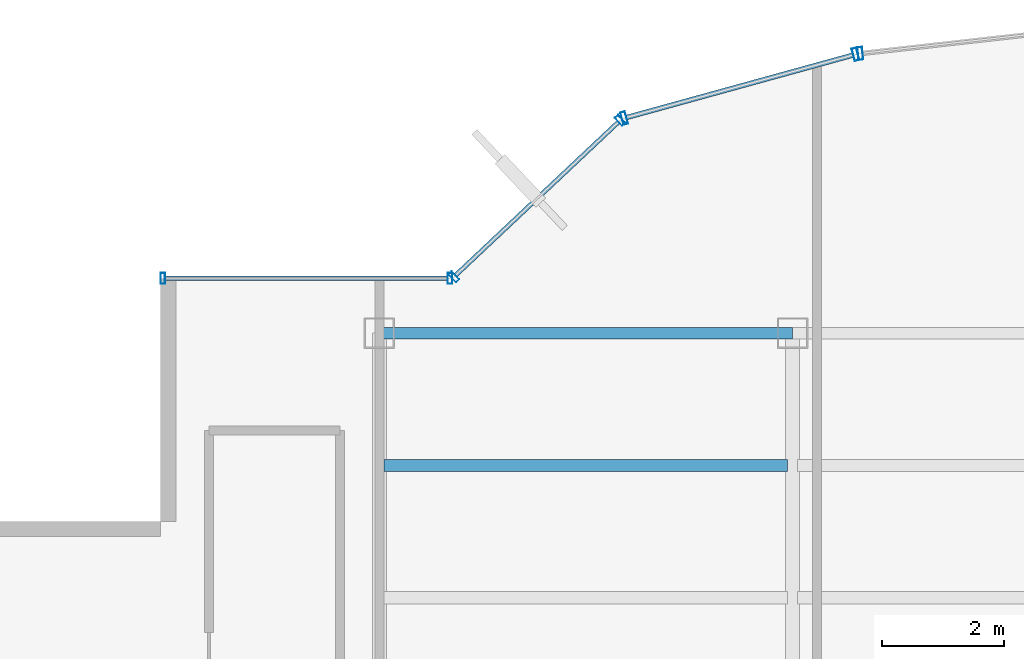
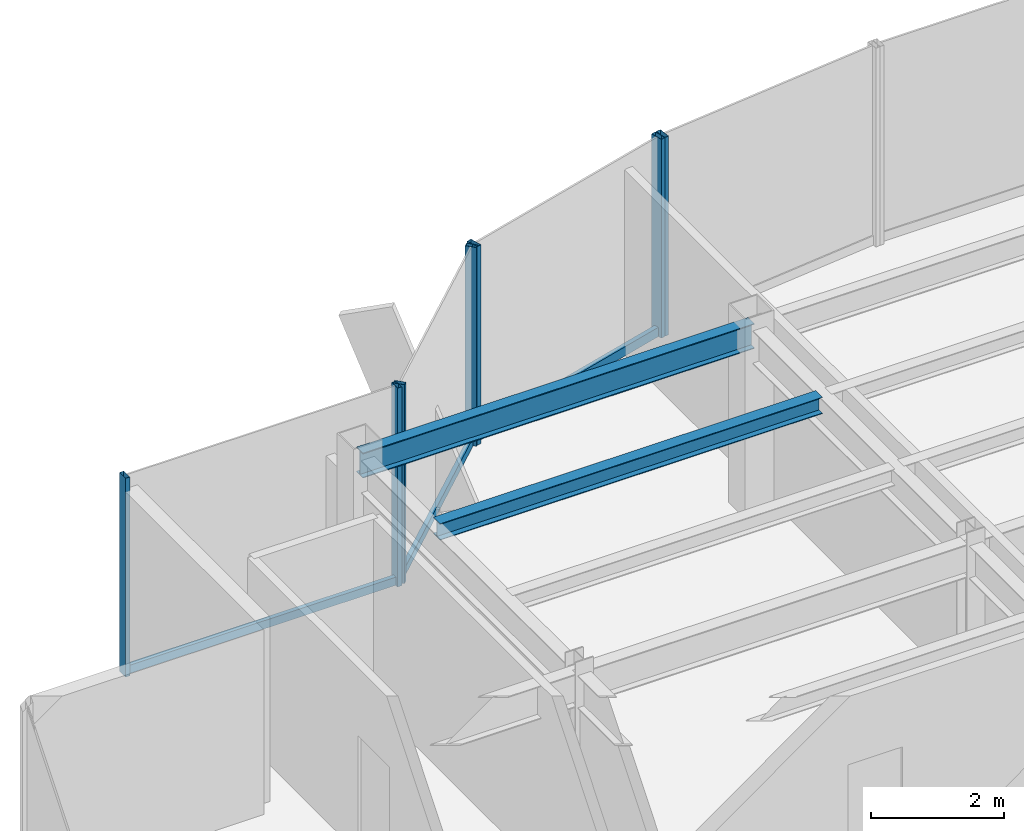
# One storey, part 12 of 22: 10 members, 2 beams, 4 elements without a shape of their own.
"""IFC4 building model written with IfcOpenShell, lengths in metres."""

from ifc_helpers import new_model, si_unit, derived_unit, direction, frame, origin, origin_2d, place, context, subcontext, project, spatial, hollow_rectangle, i_section, extrude, source, transform, mapped, material, material_profile, profile_set, type_object, element, aggregate, save


model = new_model("IFC4")

# Units and contexts
model_context = context("Model", 3, precision=1e-05, world=origin(), true_north=direction((0.0, 1.0)))
body_context = subcontext(model_context, "Body", "Model", "MODEL_VIEW")
ifc_project = project(units=[si_unit("LENGTHUNIT", "METRE"), si_unit("AREAUNIT", "SQUARE_METRE"), si_unit("VOLUMEUNIT", "CUBIC_METRE"), si_unit("PLANEANGLEUNIT", "RADIAN"), si_unit("MASSUNIT", "GRAM", prefix="KILO"), derived_unit("THERMALTRANSMITTANCEUNIT", [(si_unit("POWERUNIT", "WATT"), 1), (si_unit("LENGTHUNIT", "METRE"), -2), (si_unit("THERMODYNAMICTEMPERATUREUNIT", "KELVIN"), -1)])], contexts=[model_context])

# Site, building, storey
site_placement = place(None, origin())
site = spatial("IfcSite", under=ifc_project, at=site_placement, CompositionType="ELEMENT")
building_placement = place(site_placement, origin())
building = spatial("IfcBuilding", under=site, at=building_placement, Name="Skarnbrae Concourse Arena and Tower", CompositionType="ELEMENT")
storey_placement = place(building_placement, frame((0.0, 0.0, 251.5)))
storey = spatial("IfcBuildingStorey", under=building, at=storey_placement, Name="L65", CompositionType="ELEMENT", Elevation=251.5)

# Beams
ifc_material_1 = material(Name="Steel CSA G40.21 350W", Category="steel")
ifc_material_profile_1 = material_profile(ifc_material_1, i_section(OverallWidth=0.19091796875, OverallDepth=0.4599609375, WebThickness=0.010009765625, FlangeThickness=0.01611328125, at=origin_2d()), Name="W460X82")
ifc_profile_set_1 = profile_set([ifc_material_profile_1], Name="Steel CSA G40.21 350W")
beam_type_1 = type_object("IfcBeamType", Name="BM-SPAN-W460X82", PredefinedType="SPANDREL", material=ifc_profile_set_1)
shared_shape_1 = source(origin(), body_context, "Body", "SweptSolid", [
    extrude(i_section(OverallWidth=0.19091796875, OverallDepth=0.4599609375, WebThickness=0.010009765625, FlangeThickness=0.01611328125, at=origin_2d()), origin(), (0.0, 0.0, 1.0), 6.7998046875),
])
beam_1_placement = place(storey_placement, frame((7.60009765625, 34.39990234375, 3.169921875), z_axis=(1.0, 0.0, 0.0), x_axis=(0.0, 1.0, 0.0)))
element("IfcBeam", 1, at=beam_1_placement, inside=storey, type_object=beam_type_1, Name="L65 Perimeter spandrel Y34.4-1", PredefinedType="SPANDREL", context=body_context, shape_type="MappedRepresentation", body=[
    mapped(shared_shape_1, transform((0.0, 0.0, 0.0))),
])
ifc_material_profile_2 = material_profile(ifc_material_1, i_section(OverallWidth=0.202880859375, OverallDepth=0.302978515625, WebThickness=0.007568359375, FlangeThickness=0.01318359375, at=origin_2d()), Name="W310X60")
ifc_profile_set_2 = profile_set([ifc_material_profile_2], Name="Steel CSA G40.21 350W")
beam_type_2 = type_object("IfcBeamType", Name="BM-JOIST-W310X60", PredefinedType="JOIST", material=ifc_profile_set_2)
shared_shape_2 = source(origin(), body_context, "Body", "SweptSolid", [
    extrude(i_section(OverallWidth=0.202880859375, OverallDepth=0.302978515625, WebThickness=0.007568359375, FlangeThickness=0.01318359375, at=origin_2d()), origin(), (0.0, 0.0, 1.0), 6.64013671875),
])
beam_2_placement = place(storey_placement, frame((7.679931640625, 32.221923828125, 3.24853515625), z_axis=(1.0, 0.0, 0.0), x_axis=(0.0, 1.0, 0.0)))
element("IfcBeam", 2, at=beam_2_placement, inside=storey, type_object=beam_type_2, Name="L65 Secondary floor joist 3.2.1", PredefinedType="JOIST", context=body_context, shape_type="MappedRepresentation", body=[
    mapped(shared_shape_2, transform((0.0, 0.0, 0.0))),
])

# Curtain wall, member
ifc_material_2 = material(Name="Bronze anodised aluminium 6063-T6", Category="aluminium")
curtain_wall_type_1 = type_object("IfcCurtainWallType", Name="CW-SYS-03-PORTAL", PredefinedType="USERDEFINED", material=ifc_material_2)
curtain_wall_1_placement = place(storey_placement, origin())
curtain_wall_1 = element("IfcCurtainWall", 3, at=curtain_wall_1_placement, inside=storey, type_object=curtain_wall_type_1, Name="L65 Unitised curtain wall CW-L65-E12", ObjectType="UNITISED CURTAIN WALL", PredefinedType="USERDEFINED")
ifc_material_profile_3 = material_profile(ifc_material_2, hollow_rectangle(XDim=0.080078125, YDim=0.2099609375, WallThickness=0.00439453125, at=origin_2d()), Name="ALU-MULL-80X210")
ifc_profile_set_3 = profile_set([ifc_material_profile_3], Name="Bronze anodised aluminium 6063-T6")
member_type_1 = type_object("IfcMemberType", Name="CWM-CW-03", PredefinedType="MULLION", material=ifc_profile_set_3)
shared_shape_3 = source(origin(), body_context, "Body", "SweptSolid", [
    extrude(hollow_rectangle(XDim=0.080078125, YDim=0.2099609375, WallThickness=0.00439453125, at=origin_2d()), origin(), (0.0, 0.0, 1.0), 3.64990234375),
])
member_1_placement = place(storey_placement, frame((15.513916015625, 39.001708984375, 0.0), z_axis=(0.0, 0.0, 1.0), x_axis=(-0.993768891873, -0.111460259941, 0.0)))
member_1 = element("IfcMember", 4, at=member_1_placement, type_object=member_type_1, Name="CW-L65-E12 Mullion 2", PredefinedType="MULLION", context=body_context, shape_type="MappedRepresentation", body=[
    mapped(shared_shape_3, transform((0.0, 0.0, 0.0))),
])
aggregate(curtain_wall_1, [member_1])

# Curtain wall, members
curtain_wall_2_placement = place(storey_placement, origin())
curtain_wall_2 = element("IfcCurtainWall", 5, at=curtain_wall_2_placement, inside=storey, type_object=curtain_wall_type_1, Name="L65 Unitised curtain wall CW-L65-E13", ObjectType="UNITISED CURTAIN WALL", PredefinedType="USERDEFINED")
member_2_placement = place(storey_placement, frame((15.435546875, 38.986572265625, 0.0), z_axis=(0.0, 0.0, 1.0), x_axis=(-0.964057388766, -0.265694093207, 0.0)))
member_2 = element("IfcMember", 6, at=member_2_placement, type_object=member_type_1, Name="CW-L65-E13 Mullion 1", PredefinedType="MULLION", context=body_context, shape_type="MappedRepresentation", body=[
    mapped(shared_shape_3, transform((0.0, 0.0, 0.0))),
])
member_3_placement = place(storey_placement, frame((11.62890625, 37.937255859375, 0.0), z_axis=(0.0, 0.0, 1.0), x_axis=(-0.964057388766, -0.265694093207, 0.0)))
member_3 = element("IfcMember", 7, at=member_3_placement, type_object=member_type_1, Name="CW-L65-E13 Mullion 2", PredefinedType="MULLION", context=body_context, shape_type="MappedRepresentation", body=[
    mapped(shared_shape_3, transform((0.0, 0.0, 0.0))),
])

curtain_wall_type_2 = type_object("IfcCurtainWallType", Name="CW-SYS-05-HIGHZONE", PredefinedType="USERDEFINED", material=ifc_material_2)
curtain_wall_3_placement = place(storey_placement, origin())
curtain_wall_3 = element("IfcCurtainWall", 8, at=curtain_wall_3_placement, inside=storey, type_object=curtain_wall_type_2, Name="L65 Unitised curtain wall CW-L65-E14", ObjectType="UNITISED CURTAIN WALL", PredefinedType="USERDEFINED")
ifc_material_profile_4 = material_profile(ifc_material_2, hollow_rectangle(XDim=0.074951171875, YDim=0.179931640625, WallThickness=0.00390625, at=origin_2d()), Name="ALU-MULL-75X180")
ifc_profile_set_4 = profile_set([ifc_material_profile_4], Name="Bronze anodised aluminium 6063-T6")
member_type_2 = type_object("IfcMemberType", Name="CWM-CW-05", PredefinedType="MULLION", material=ifc_profile_set_4)
shared_shape_4 = source(origin(), body_context, "Body", "SweptSolid", [
    extrude(hollow_rectangle(XDim=0.074951171875, YDim=0.179931640625, WallThickness=0.00390625, at=origin_2d()), origin(), (0.0, 0.0, 1.0), 3.64990234375),
])
member_4_placement = place(storey_placement, frame((11.56298828125, 37.90087890625, 0.0), z_axis=(0.0, 0.0, 1.0), x_axis=(-0.728130555214, -0.685438468838, 0.0)))
member_4 = element("IfcMember", 9, at=member_4_placement, type_object=member_type_2, Name="CW-L65-E14 Mullion 1", PredefinedType="MULLION", context=body_context, shape_type="MappedRepresentation", body=[
    mapped(shared_shape_4, transform((0.0, 0.0, 0.0))),
])
member_5_placement = place(storey_placement, frame((8.827392578125, 35.32568359375, 0.0), z_axis=(0.0, 0.0, 1.0), x_axis=(-0.728130555214, -0.685438468838, 0.0)))
member_5 = element("IfcMember", 10, at=member_5_placement, type_object=member_type_2, Name="CW-L65-E14 Mullion 2", PredefinedType="MULLION", context=body_context, shape_type="MappedRepresentation", body=[
    mapped(shared_shape_4, transform((0.0, 0.0, 0.0))),
])

curtain_wall_4_placement = place(storey_placement, origin())
curtain_wall_4 = element("IfcCurtainWall", 11, at=curtain_wall_4_placement, inside=storey, type_object=curtain_wall_type_2, Name="L65 Unitised curtain wall CW-L65-E15", ObjectType="UNITISED CURTAIN WALL", PredefinedType="USERDEFINED")
member_6_placement = place(storey_placement, frame((8.762451171875, 35.300048828125, 0.0), z_axis=(0.0, 0.0, 1.0), x_axis=(-1.0, 0.0, 0.0)))
member_6 = element("IfcMember", 12, at=member_6_placement, type_object=member_type_2, Name="CW-L65-E15 Mullion 1", PredefinedType="MULLION", context=body_context, shape_type="MappedRepresentation", body=[
    mapped(shared_shape_4, transform((0.0, 0.0, 0.0))),
])
member_7_placement = place(storey_placement, frame((4.03759765625, 35.300048828125, 0.0), z_axis=(0.0, 0.0, 1.0), x_axis=(-1.0, 0.0, 0.0)))
member_7 = element("IfcMember", 13, at=member_7_placement, type_object=member_type_2, Name="CW-L65-E15 Mullion 2", PredefinedType="MULLION", context=body_context, shape_type="MappedRepresentation", body=[
    mapped(shared_shape_4, transform((0.0, 0.0, 0.0))),
])
ifc_material_profile_5 = material_profile(ifc_material_2, hollow_rectangle(XDim=0.074951171875, YDim=0.14990234375, WallThickness=0.00390625, at=origin_2d()), Name="ALU-TRAN-75X150")
ifc_profile_set_5 = profile_set([ifc_material_profile_5], Name="Bronze anodised aluminium 6063-T6")
member_type_3 = type_object("IfcMemberType", Name="CWT-CW-05", PredefinedType="USERDEFINED", material=ifc_profile_set_5)
shared_shape_5 = source(origin(), body_context, "Body", "SweptSolid", [
    extrude(hollow_rectangle(XDim=0.074951171875, YDim=0.14990234375, WallThickness=0.00390625, at=origin_2d()), origin(), (0.0, 0.0, 1.0), 4.650146484375),
])
member_8_placement = place(storey_placement, frame((8.72509765625, 35.300048828125, 0.074951171875), z_axis=(-1.0, 0.0, 0.0), x_axis=(0.0, -1.0, 0.0)))
member_8 = element("IfcMember", 14, at=member_8_placement, type_object=member_type_3, Name="CW-L65-E15 Transom 1", ObjectType="TRANSOM", PredefinedType="USERDEFINED", context=body_context, shape_type="MappedRepresentation", body=[
    mapped(shared_shape_5, transform((0.0, 0.0, 0.0))),
])
aggregate(curtain_wall_4, [member_6, member_7, member_8])

# Member
shared_shape_6 = source(origin(), body_context, "Body", "SweptSolid", [
    extrude(hollow_rectangle(XDim=0.074951171875, YDim=0.14990234375, WallThickness=0.00390625, at=origin_2d()), origin(), (0.0, 0.0, 1.0), 3.68212890625),
])
member_9_placement = place(storey_placement, frame((11.53564453125, 37.875244140625, 0.074951171875), z_axis=(-0.728133808476, -0.685435012933, 0.0), x_axis=(0.685435012933, -0.728133808476, 0.0)))
member_9 = element("IfcMember", 15, at=member_9_placement, type_object=member_type_3, Name="CW-L65-E14 Transom 1", ObjectType="TRANSOM", PredefinedType="USERDEFINED", context=body_context, shape_type="MappedRepresentation", body=[
    mapped(shared_shape_6, transform((0.0, 0.0, 0.0))),
])

aggregate(curtain_wall_3, [member_4, member_5, member_9])

ifc_material_profile_6 = material_profile(ifc_material_2, hollow_rectangle(XDim=0.080078125, YDim=0.169921875, WallThickness=0.00439453125, at=origin_2d()), Name="ALU-TRAN-80X170")
ifc_profile_set_6 = profile_set([ifc_material_profile_6], Name="Bronze anodised aluminium 6063-T6")
member_type_4 = type_object("IfcMemberType", Name="CWT-CW-03", PredefinedType="USERDEFINED", material=ifc_profile_set_6)
shared_shape_7 = source(origin(), body_context, "Body", "SweptSolid", [
    extrude(hollow_rectangle(XDim=0.080078125, YDim=0.169921875, WallThickness=0.00439453125, at=origin_2d()), origin(), (0.0, 0.0, 1.0), 3.86865234375),
])
member_10_placement = place(storey_placement, frame((15.397216796875, 38.975830078125, 0.0849609375), z_axis=(-0.964062872218, -0.265674195983, 0.0), x_axis=(0.265674195983, -0.964062872218, 0.0)))
member_10 = element("IfcMember", 16, at=member_10_placement, type_object=member_type_4, Name="CW-L65-E13 Transom 1", ObjectType="TRANSOM", PredefinedType="USERDEFINED", context=body_context, shape_type="MappedRepresentation", body=[
    mapped(shared_shape_7, transform((0.0, 0.0, 0.0))),
])

aggregate(curtain_wall_2, [member_2, member_3, member_10])

save(model, "model.ifc")
